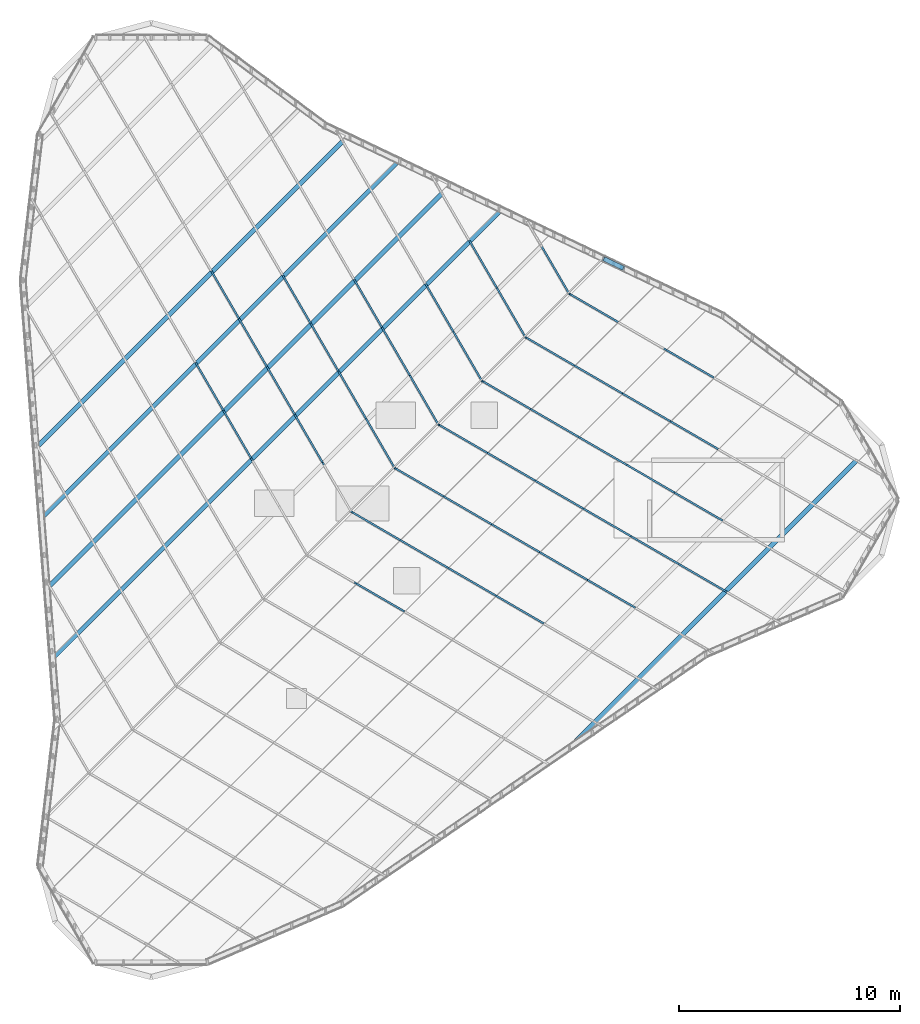
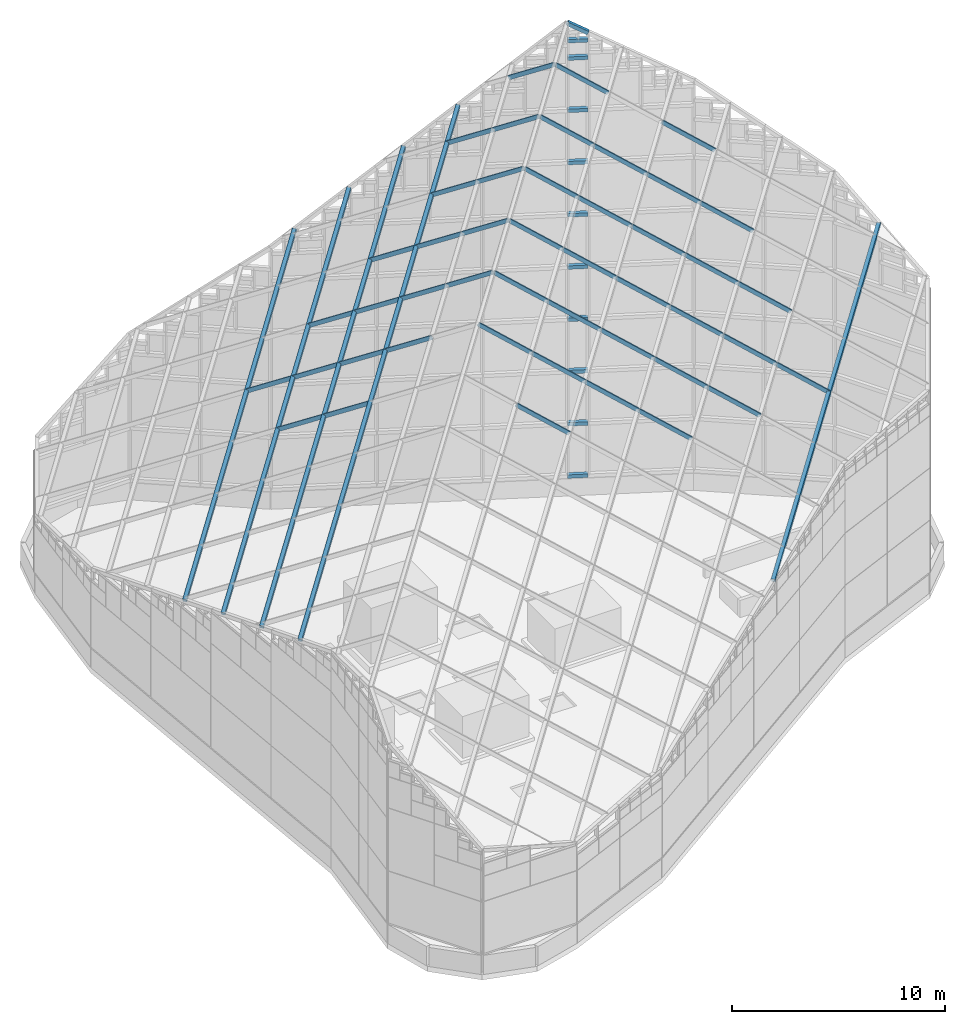
# One storey, part 5 of 29: 61 members, 1 element without a shape of its own.
"""IFC4 building model written with IfcOpenShell, lengths in metres."""

from ifc_helpers import new_model, si_unit, direction, frame, origin, origin_2d, place, context, subcontext, project, spatial, rectangle, extrude, material, material_profile, profile_set, type_object, element, aggregate, save


model = new_model("IFC4")

# Units and contexts
model_context = context("Model", 3, precision=1e-05, world=origin(), true_north=direction((0.0, 1.0)))
body_context = subcontext(model_context, "Body", "Model", "MODEL_VIEW")
ifc_project = project(units=[si_unit("LENGTHUNIT", "METRE"), si_unit("AREAUNIT", "SQUARE_METRE"), si_unit("VOLUMEUNIT", "CUBIC_METRE"), si_unit("PLANEANGLEUNIT", "RADIAN"), si_unit("MASSUNIT", "GRAM", prefix="KILO")], contexts=[model_context])

# Site, building, storey
site_placement = place(None, origin())
site = spatial("IfcSite", under=ifc_project, at=site_placement, CompositionType="ELEMENT")
building_placement = place(site_placement, origin())
building = spatial("IfcBuilding", under=site, at=building_placement, Name="Tanit Gate Tower", CompositionType="ELEMENT")
storey_placement = place(building_placement, frame((0.0, 0.0, 445.300048828125)))
storey = spatial("IfcBuildingStorey", under=building, at=storey_placement, Name="ROOF", CompositionType="ELEMENT", Elevation=445.300048828125)

# Curtain wall, members
ifc_material_1 = material(Name="Aluminium bronze anodised and glass", Category="aluminium")
curtain_wall_type = type_object("IfcCurtainWallType", Name="Curtain wall crown roof", PredefinedType="NOTDEFINED", material=ifc_material_1)
curtain_wall_placement = place(storey_placement, origin())
curtain_wall = element("IfcCurtainWall", 1, at=curtain_wall_placement, inside=storey, type_object=curtain_wall_type, Name="Crown lantern", PredefinedType="NOTDEFINED")
ifc_material_2 = material(Name="Aluminium bronze anodised", Category="aluminium")
ifc_material_profile_1 = material_profile(ifc_material_2, rectangle(XDim=0.080078125, YDim=0.219970703125, at=origin_2d()), Name="80x220 bronze rafter")
ifc_profile_set_1 = profile_set([ifc_material_profile_1], Name="Aluminium bronze anodised")
member_type_1 = type_object("IfcMemberType", Name="Mullion 80x220 crown roof", PredefinedType="MULLION", material=ifc_profile_set_1)
member_1_placement = place(storey_placement, frame((-5.0205078125, 1.84130859375, 16.477294921875), z_axis=(-0.420098879156, 0.723494582662, -0.547788755444), x_axis=(-0.864786221347, -0.502140210865, 0.0)))
member_1 = element("IfcMember", 2, at=member_1_placement, type_object=member_type_1, Name="Lantern rafter E7", PredefinedType="MULLION", context=body_context, shape_type="SweptSolid", body=[
    extrude(rectangle(XDim=0.080078125, YDim=0.219970703125, at=origin_2d()), origin(), (0.0, 0.0, 1.0), 3.0),
])
member_2_placement = place(storey_placement, frame((-6.28076171875, 4.01171875, 14.833984375), z_axis=(-0.420098879156, 0.723494582662, -0.547788755444), x_axis=(-0.864786221347, -0.502140210865, 0.0)))
member_2 = element("IfcMember", 3, at=member_2_placement, type_object=member_type_1, Name="Lantern rafter E7", PredefinedType="MULLION", context=body_context, shape_type="SweptSolid", body=[
    extrude(rectangle(XDim=0.080078125, YDim=0.219970703125, at=origin_2d()), origin(), (0.0, 0.0, 1.0), 3.0),
])
member_3_placement = place(storey_placement, frame((-1.784912109375, 1.64599609375, 19.214599609375), z_axis=(-0.420098879156, 0.723494582662, -0.547788755444), x_axis=(-0.864786221347, -0.502140210865, 0.0)))
member_3 = element("IfcMember", 4, at=member_3_placement, type_object=member_type_1, Name="Lantern rafter E8", PredefinedType="MULLION", context=body_context, shape_type="SweptSolid", body=[
    extrude(rectangle(XDim=0.080078125, YDim=0.219970703125, at=origin_2d()), origin(), (0.0, 0.0, 1.0), 3.0),
])
member_4_placement = place(storey_placement, frame((-3.045166015625, 3.81640625, 17.5712890625), z_axis=(-0.420074144471, 0.723533362745, -0.547756502602), x_axis=(-0.864810745962, -0.502097972181, 0.0)))
member_4 = element("IfcMember", 5, at=member_4_placement, type_object=member_type_1, Name="Lantern rafter E8", PredefinedType="MULLION", context=body_context, shape_type="SweptSolid", body=[
    extrude(rectangle(XDim=0.080078125, YDim=0.219970703125, at=origin_2d()), origin(), (0.0, 0.0, 1.0), 3.0),
])
member_5_placement = place(storey_placement, frame((-4.305419921875, 5.987060546875, 15.927978515625), z_axis=(-0.420165895971, 0.723469846055, -0.547770026299), x_axis=(-0.864743978712, -0.502212954116, 0.0)))
member_5 = element("IfcMember", 6, at=member_5_placement, type_object=member_type_1, Name="Lantern rafter E8", PredefinedType="MULLION", context=body_context, shape_type="SweptSolid", body=[
    extrude(rectangle(XDim=0.080078125, YDim=0.219970703125, at=origin_2d()), origin(), (0.0, 0.0, 1.0), 3.0),
])
member_6_placement = place(storey_placement, frame((-5.56591796875, 8.157470703125, 14.28466796875), z_axis=(-0.420080150726, 0.723462328546, -0.54784571381), x_axis=(-0.864786221347, -0.502140210865, 0.0)))
member_6 = element("IfcMember", 7, at=member_6_placement, type_object=member_type_1, Name="Lantern rafter E8", PredefinedType="MULLION", context=body_context, shape_type="SweptSolid", body=[
    extrude(rectangle(XDim=0.080078125, YDim=0.219970703125, at=origin_2d()), origin(), (0.0, 0.0, 1.0), 3.0),
])
member_7_placement = place(storey_placement, frame((1.45068359375, 1.45068359375, 21.951904296875), z_axis=(-0.420074144471, 0.723533362745, -0.547756502602), x_axis=(-0.864810745962, -0.502097972181, 0.0)))
member_7 = element("IfcMember", 8, at=member_7_placement, type_object=member_type_1, Name="Lantern rafter E9", PredefinedType="MULLION", context=body_context, shape_type="SweptSolid", body=[
    extrude(rectangle(XDim=0.080078125, YDim=0.219970703125, at=origin_2d()), origin(), (0.0, 0.0, 1.0), 3.0),
])
member_8_placement = place(storey_placement, frame((0.1904296875, 3.621337890625, 20.30859375), z_axis=(-0.420098879156, 0.723494582662, -0.547788755444), x_axis=(-0.864786221347, -0.502140210865, 0.0)))
member_8 = element("IfcMember", 9, at=member_8_placement, type_object=member_type_1, Name="Lantern rafter E9", PredefinedType="MULLION", context=body_context, shape_type="SweptSolid", body=[
    extrude(rectangle(XDim=0.080078125, YDim=0.219970703125, at=origin_2d()), origin(), (0.0, 0.0, 1.0), 3.0),
])
member_9_placement = place(storey_placement, frame((-1.06982421875, 5.791748046875, 18.665283203125), z_axis=(-0.420165895971, 0.723469846055, -0.547770026299), x_axis=(-0.864743978712, -0.502212954116, 0.0)))
member_9 = element("IfcMember", 10, at=member_9_placement, type_object=member_type_1, Name="Lantern rafter E9", PredefinedType="MULLION", context=body_context, shape_type="SweptSolid", body=[
    extrude(rectangle(XDim=0.080078125, YDim=0.219970703125, at=origin_2d()), origin(), (0.0, 0.0, 1.0), 3.0),
])
member_10_placement = place(storey_placement, frame((-2.330322265625, 7.962158203125, 17.02197265625), z_axis=(-0.420055419348, 0.723501110698, -0.54781346049), x_axis=(-0.864810745962, -0.502097972181, 0.0)))
member_10 = element("IfcMember", 11, at=member_10_placement, type_object=member_type_1, Name="Lantern rafter E9", PredefinedType="MULLION", context=body_context, shape_type="SweptSolid", body=[
    extrude(rectangle(XDim=0.080078125, YDim=0.219970703125, at=origin_2d()), origin(), (0.0, 0.0, 1.0), 3.000244140625),
])
member_11_placement = place(storey_placement, frame((3.426025390625, 3.426025390625, 23.0458984375), z_axis=(-0.420098879156, 0.723494582662, -0.547788755444), x_axis=(-0.864786221347, -0.502140210865, 0.0)))
member_11 = element("IfcMember", 12, at=member_11_placement, type_object=member_type_1, Name="Lantern rafter E10", PredefinedType="MULLION", context=body_context, shape_type="SweptSolid", body=[
    extrude(rectangle(XDim=0.080078125, YDim=0.219970703125, at=origin_2d()), origin(), (0.0, 0.0, 1.0), 3.0),
])
member_12_placement = place(storey_placement, frame((2.165771484375, 5.596435546875, 21.402587890625), z_axis=(-0.420141159031, 0.723508627725, -0.547737776765), x_axis=(-0.864768509235, -0.502170713438, 0.0)))
member_12 = element("IfcMember", 13, at=member_12_placement, type_object=member_type_1, Name="Lantern rafter E10", PredefinedType="MULLION", context=body_context, shape_type="SweptSolid", body=[
    extrude(rectangle(XDim=0.080078125, YDim=0.219970703125, at=origin_2d()), origin(), (0.0, 0.0, 1.0), 3.000244140625),
])
member_13_placement = place(storey_placement, frame((0.9052734375, 7.76708984375, 19.75927734375), z_axis=(-0.420098879156, 0.723494582662, -0.547788755444), x_axis=(-0.864786221347, -0.502140210865, 0.0)))
member_13 = element("IfcMember", 14, at=member_13_placement, type_object=member_type_1, Name="Lantern rafter E10", PredefinedType="MULLION", context=body_context, shape_type="SweptSolid", body=[
    extrude(rectangle(XDim=0.080078125, YDim=0.219970703125, at=origin_2d()), origin(), (0.0, 0.0, 1.0), 3.0),
])
member_14_placement = place(storey_placement, frame((5.4013671875, 5.4013671875, 24.139892578125), z_axis=(-0.420165895971, 0.723469846055, -0.547770026299), x_axis=(-0.864743978712, -0.502212954116, 0.0)))
member_14 = element("IfcMember", 15, at=member_14_placement, type_object=member_type_1, Name="Lantern rafter E11", PredefinedType="MULLION", context=body_context, shape_type="SweptSolid", body=[
    extrude(rectangle(XDim=0.080078125, YDim=0.219970703125, at=origin_2d()), origin(), (0.0, 0.0, 1.0), 3.0),
])
member_15_placement = place(storey_placement, frame((4.140869140625, 7.57177734375, 22.49658203125), z_axis=(-0.420098879156, 0.723494582662, -0.547788755444), x_axis=(-0.864786221347, -0.502140210865, 0.0)))
member_15 = element("IfcMember", 16, at=member_15_placement, type_object=member_type_1, Name="Lantern rafter E11", PredefinedType="MULLION", context=body_context, shape_type="SweptSolid", body=[
    extrude(rectangle(XDim=0.080078125, YDim=0.219970703125, at=origin_2d()), origin(), (0.0, 0.0, 1.0), 3.0),
])
member_16_placement = place(storey_placement, frame((7.37646484375, 7.37646484375, 25.23388671875), z_axis=(-0.420074144471, 0.723533362745, -0.547756502602), x_axis=(-0.864810745962, -0.502097972181, 0.0)))
member_16 = element("IfcMember", 17, at=member_16_placement, type_object=member_type_1, Name="Lantern rafter E12", PredefinedType="MULLION", context=body_context, shape_type="SweptSolid", body=[
    extrude(rectangle(XDim=0.080078125, YDim=0.219970703125, at=origin_2d()), origin(), (0.0, 0.0, 1.0), 3.0),
])
member_17_placement = place(storey_placement, frame((6.1162109375, 9.547119140625, 23.590576171875), z_axis=(-0.420165895971, 0.723469846055, -0.547770026299), x_axis=(-0.864743978712, -0.502212954116, 0.0)))
member_17 = element("IfcMember", 18, at=member_17_placement, type_object=member_type_1, Name="Lantern rafter E12", PredefinedType="MULLION", context=body_context, shape_type="SweptSolid", body=[
    extrude(rectangle(XDim=0.080078125, YDim=0.219970703125, at=origin_2d()), origin(), (0.0, 0.0, 1.0), 3.0),
])
member_18_placement = place(storey_placement, frame((9.351806640625, 9.351806640625, 26.327880859375), z_axis=(-0.420165895971, 0.723469846055, -0.547770026299), x_axis=(-0.864743978712, -0.502212954116, 0.0)))
member_18 = element("IfcMember", 19, at=member_18_placement, type_object=member_type_1, Name="Lantern rafter E13", PredefinedType="MULLION", context=body_context, shape_type="SweptSolid", body=[
    extrude(rectangle(XDim=0.080078125, YDim=0.219970703125, at=origin_2d()), origin(), (0.0, 0.0, 1.0), 3.0),
])
member_19_placement = place(storey_placement, frame((-0.329345703125, -3.760009765625, 18.12060546875), z_axis=(0.723508627725, -0.420141159031, -0.547737776765), x_axis=(0.502170713438, 0.864768509235, 0.0)))
member_19 = element("IfcMember", 20, at=member_19_placement, type_object=member_type_1, Name="Lantern rafter W9", PredefinedType="MULLION", context=body_context, shape_type="SweptSolid", body=[
    extrude(rectangle(XDim=0.080078125, YDim=0.219970703125, at=origin_2d()), origin(), (0.0, 0.0, 1.0), 3.000244140625),
])
member_20_placement = place(storey_placement, frame((-0.5244140625, -0.5244140625, 20.85791015625), z_axis=(0.723469846055, -0.420165895971, -0.547770026299), x_axis=(0.502212954116, 0.864743978712, 0.0)))
member_20 = element("IfcMember", 21, at=member_20_placement, type_object=member_type_1, Name="Lantern rafter W10", PredefinedType="MULLION", context=body_context, shape_type="SweptSolid", body=[
    extrude(rectangle(XDim=0.080078125, YDim=0.219970703125, at=origin_2d()), origin(), (0.0, 0.0, 1.0), 3.0),
])
member_21_placement = place(storey_placement, frame((1.64599609375, -1.784912109375, 19.214599609375), z_axis=(0.723494582662, -0.420098879156, -0.547788755444), x_axis=(0.502140210865, 0.864786221347, 0.0)))
member_21 = element("IfcMember", 22, at=member_21_placement, type_object=member_type_1, Name="Lantern rafter W10", PredefinedType="MULLION", context=body_context, shape_type="SweptSolid", body=[
    extrude(rectangle(XDim=0.080078125, YDim=0.219970703125, at=origin_2d()), origin(), (0.0, 0.0, 1.0), 3.0),
])
member_22_placement = place(storey_placement, frame((3.81640625, -3.045166015625, 17.5712890625), z_axis=(0.723533362745, -0.420074144471, -0.547756502602), x_axis=(0.502097972181, 0.864810745962, 0.0)))
member_22 = element("IfcMember", 23, at=member_22_placement, type_object=member_type_1, Name="Lantern rafter W10", PredefinedType="MULLION", context=body_context, shape_type="SweptSolid", body=[
    extrude(rectangle(XDim=0.080078125, YDim=0.219970703125, at=origin_2d()), origin(), (0.0, 0.0, 1.0), 3.0),
])
member_23_placement = place(storey_placement, frame((5.987060546875, -4.305419921875, 15.927978515625), z_axis=(0.723469846055, -0.420165895971, -0.547770026299), x_axis=(0.502212954116, 0.864743978712, 0.0)))
member_23 = element("IfcMember", 24, at=member_23_placement, type_object=member_type_1, Name="Lantern rafter W10", PredefinedType="MULLION", context=body_context, shape_type="SweptSolid", body=[
    extrude(rectangle(XDim=0.080078125, YDim=0.219970703125, at=origin_2d()), origin(), (0.0, 0.0, 1.0), 3.0),
])
member_24_placement = place(storey_placement, frame((1.45068359375, 1.45068359375, 21.951904296875), z_axis=(0.723533362745, -0.420074144471, -0.547756502602), x_axis=(0.502097972181, 0.864810745962, 0.0)))
member_24 = element("IfcMember", 25, at=member_24_placement, type_object=member_type_1, Name="Lantern rafter W11", PredefinedType="MULLION", context=body_context, shape_type="SweptSolid", body=[
    extrude(rectangle(XDim=0.080078125, YDim=0.219970703125, at=origin_2d()), origin(), (0.0, 0.0, 1.0), 3.0),
])
member_25_placement = place(storey_placement, frame((3.621337890625, 0.1904296875, 20.30859375), z_axis=(0.723494582662, -0.420098879156, -0.547788755444), x_axis=(0.502140210865, 0.864786221347, 0.0)))
member_25 = element("IfcMember", 26, at=member_25_placement, type_object=member_type_1, Name="Lantern rafter W11", PredefinedType="MULLION", context=body_context, shape_type="SweptSolid", body=[
    extrude(rectangle(XDim=0.080078125, YDim=0.219970703125, at=origin_2d()), origin(), (0.0, 0.0, 1.0), 3.0),
])
member_26_placement = place(storey_placement, frame((5.791748046875, -1.06982421875, 18.665283203125), z_axis=(0.723469846055, -0.420165895971, -0.547770026299), x_axis=(0.502212954116, 0.864743978712, 0.0)))
member_26 = element("IfcMember", 27, at=member_26_placement, type_object=member_type_1, Name="Lantern rafter W11", PredefinedType="MULLION", context=body_context, shape_type="SweptSolid", body=[
    extrude(rectangle(XDim=0.080078125, YDim=0.219970703125, at=origin_2d()), origin(), (0.0, 0.0, 1.0), 3.0),
])
member_27_placement = place(storey_placement, frame((7.962158203125, -2.330322265625, 17.02197265625), z_axis=(0.723501110698, -0.420055419348, -0.54781346049), x_axis=(0.502097972181, 0.864810745962, 0.0)))
member_27 = element("IfcMember", 28, at=member_27_placement, type_object=member_type_1, Name="Lantern rafter W11", PredefinedType="MULLION", context=body_context, shape_type="SweptSolid", body=[
    extrude(rectangle(XDim=0.080078125, YDim=0.219970703125, at=origin_2d()), origin(), (0.0, 0.0, 1.0), 3.000244140625),
])
member_28_placement = place(storey_placement, frame((10.1328125, -3.590576171875, 15.37841796875), z_axis=(0.723494582662, -0.420098879156, -0.547788755444), x_axis=(0.502140210865, 0.864786221347, 0.0)))
member_28 = element("IfcMember", 29, at=member_28_placement, type_object=member_type_1, Name="Lantern rafter W11", PredefinedType="MULLION", context=body_context, shape_type="SweptSolid", body=[
    extrude(rectangle(XDim=0.080078125, YDim=0.219970703125, at=origin_2d()), origin(), (0.0, 0.0, 1.0), 3.0),
])
member_29_placement = place(storey_placement, frame((3.426025390625, 3.426025390625, 23.0458984375), z_axis=(0.723494582662, -0.420098879156, -0.547788755444), x_axis=(0.502140210865, 0.864786221347, 0.0)))
member_29 = element("IfcMember", 30, at=member_29_placement, type_object=member_type_1, Name="Lantern rafter W12", PredefinedType="MULLION", context=body_context, shape_type="SweptSolid", body=[
    extrude(rectangle(XDim=0.080078125, YDim=0.219970703125, at=origin_2d()), origin(), (0.0, 0.0, 1.0), 3.0),
])
member_30_placement = place(storey_placement, frame((5.596435546875, 2.165771484375, 21.402587890625), z_axis=(0.723508627725, -0.420141159031, -0.547737776765), x_axis=(0.502170713438, 0.864768509235, 0.0)))
member_30 = element("IfcMember", 31, at=member_30_placement, type_object=member_type_1, Name="Lantern rafter W12", PredefinedType="MULLION", context=body_context, shape_type="SweptSolid", body=[
    extrude(rectangle(XDim=0.080078125, YDim=0.219970703125, at=origin_2d()), origin(), (0.0, 0.0, 1.0), 3.000244140625),
])
member_31_placement = place(storey_placement, frame((7.76708984375, 0.9052734375, 19.75927734375), z_axis=(0.723494582662, -0.420098879156, -0.547788755444), x_axis=(0.502140210865, 0.864786221347, 0.0)))
member_31 = element("IfcMember", 32, at=member_31_placement, type_object=member_type_1, Name="Lantern rafter W12", PredefinedType="MULLION", context=body_context, shape_type="SweptSolid", body=[
    extrude(rectangle(XDim=0.080078125, YDim=0.219970703125, at=origin_2d()), origin(), (0.0, 0.0, 1.0), 3.0),
])
member_32_placement = place(storey_placement, frame((9.9375, -0.35498046875, 18.115966796875), z_axis=(0.723462328546, -0.420080150726, -0.54784571381), x_axis=(0.502140210865, 0.864786221347, 0.0)))
member_32 = element("IfcMember", 33, at=member_32_placement, type_object=member_type_1, Name="Lantern rafter W12", PredefinedType="MULLION", context=body_context, shape_type="SweptSolid", body=[
    extrude(rectangle(XDim=0.080078125, YDim=0.219970703125, at=origin_2d()), origin(), (0.0, 0.0, 1.0), 3.0),
])
member_33_placement = place(storey_placement, frame((12.10791015625, -1.615234375, 16.472412109375), z_axis=(0.723508627725, -0.420141159031, -0.547737776765), x_axis=(0.502170713438, 0.864768509235, 0.0)))
member_33 = element("IfcMember", 34, at=member_33_placement, type_object=member_type_1, Name="Lantern rafter W12", PredefinedType="MULLION", context=body_context, shape_type="SweptSolid", body=[
    extrude(rectangle(XDim=0.080078125, YDim=0.219970703125, at=origin_2d()), origin(), (0.0, 0.0, 1.0), 3.000244140625),
])
member_34_placement = place(storey_placement, frame((14.278564453125, -2.875732421875, 14.8291015625), z_axis=(0.723494582662, -0.420098879156, -0.547788755444), x_axis=(0.502140210865, 0.864786221347, 0.0)))
member_34 = element("IfcMember", 35, at=member_34_placement, type_object=member_type_1, Name="Lantern rafter W12", PredefinedType="MULLION", context=body_context, shape_type="SweptSolid", body=[
    extrude(rectangle(XDim=0.080078125, YDim=0.219970703125, at=origin_2d()), origin(), (0.0, 0.0, 1.0), 3.0),
])
member_35_placement = place(storey_placement, frame((5.4013671875, 5.4013671875, 24.139892578125), z_axis=(0.723469846055, -0.420165895971, -0.547770026299), x_axis=(0.502212954116, 0.864743978712, 0.0)))
member_35 = element("IfcMember", 36, at=member_35_placement, type_object=member_type_1, Name="Lantern rafter W13", PredefinedType="MULLION", context=body_context, shape_type="SweptSolid", body=[
    extrude(rectangle(XDim=0.080078125, YDim=0.219970703125, at=origin_2d()), origin(), (0.0, 0.0, 1.0), 3.0),
])
member_36_placement = place(storey_placement, frame((7.57177734375, 4.140869140625, 22.49658203125), z_axis=(0.723494582662, -0.420098879156, -0.547788755444), x_axis=(0.502140210865, 0.864786221347, 0.0)))
member_36 = element("IfcMember", 37, at=member_36_placement, type_object=member_type_1, Name="Lantern rafter W13", PredefinedType="MULLION", context=body_context, shape_type="SweptSolid", body=[
    extrude(rectangle(XDim=0.080078125, YDim=0.219970703125, at=origin_2d()), origin(), (0.0, 0.0, 1.0), 3.0),
])
member_37_placement = place(storey_placement, frame((9.7421875, 2.880615234375, 20.853271484375), z_axis=(0.723501110698, -0.420055419348, -0.54781346049), x_axis=(0.502097972181, 0.864810745962, 0.0)))
member_37 = element("IfcMember", 38, at=member_37_placement, type_object=member_type_1, Name="Lantern rafter W13", PredefinedType="MULLION", context=body_context, shape_type="SweptSolid", body=[
    extrude(rectangle(XDim=0.080078125, YDim=0.219970703125, at=origin_2d()), origin(), (0.0, 0.0, 1.0), 3.000244140625),
])
member_38_placement = place(storey_placement, frame((11.912841796875, 1.620361328125, 19.209716796875), z_axis=(0.723469846055, -0.420165895971, -0.547770026299), x_axis=(0.502212954116, 0.864743978712, 0.0)))
member_38 = element("IfcMember", 39, at=member_38_placement, type_object=member_type_1, Name="Lantern rafter W13", PredefinedType="MULLION", context=body_context, shape_type="SweptSolid", body=[
    extrude(rectangle(XDim=0.080078125, YDim=0.219970703125, at=origin_2d()), origin(), (0.0, 0.0, 1.0), 3.0),
])
member_39_placement = place(storey_placement, frame((14.083251953125, 0.35986328125, 17.56640625), z_axis=(0.723494582662, -0.420098879156, -0.547788755444), x_axis=(0.502140210865, 0.864786221347, 0.0)))
member_39 = element("IfcMember", 40, at=member_39_placement, type_object=member_type_1, Name="Lantern rafter W13", PredefinedType="MULLION", context=body_context, shape_type="SweptSolid", body=[
    extrude(rectangle(XDim=0.080078125, YDim=0.219970703125, at=origin_2d()), origin(), (0.0, 0.0, 1.0), 3.0),
])
member_40_placement = place(storey_placement, frame((7.37646484375, 7.37646484375, 25.23388671875), z_axis=(0.723533362745, -0.420074144471, -0.547756502602), x_axis=(0.502097972181, 0.864810745962, 0.0)))
member_40 = element("IfcMember", 41, at=member_40_placement, type_object=member_type_1, Name="Lantern rafter W14", PredefinedType="MULLION", context=body_context, shape_type="SweptSolid", body=[
    extrude(rectangle(XDim=0.080078125, YDim=0.219970703125, at=origin_2d()), origin(), (0.0, 0.0, 1.0), 3.0),
])
member_41_placement = place(storey_placement, frame((9.547119140625, 6.1162109375, 23.590576171875), z_axis=(0.723469846055, -0.420165895971, -0.547770026299), x_axis=(0.502212954116, 0.864743978712, 0.0)))
member_41 = element("IfcMember", 42, at=member_41_placement, type_object=member_type_1, Name="Lantern rafter W14", PredefinedType="MULLION", context=body_context, shape_type="SweptSolid", body=[
    extrude(rectangle(XDim=0.080078125, YDim=0.219970703125, at=origin_2d()), origin(), (0.0, 0.0, 1.0), 3.0),
])
member_42_placement = place(storey_placement, frame((11.717529296875, 4.855712890625, 21.947265625), z_axis=(0.723462328546, -0.420080150726, -0.54784571381), x_axis=(0.502140210865, 0.864786221347, 0.0)))
member_42 = element("IfcMember", 43, at=member_42_placement, type_object=member_type_1, Name="Lantern rafter W14", PredefinedType="MULLION", context=body_context, shape_type="SweptSolid", body=[
    extrude(rectangle(XDim=0.080078125, YDim=0.219970703125, at=origin_2d()), origin(), (0.0, 0.0, 1.0), 3.0),
])
member_43_placement = place(storey_placement, frame((13.887939453125, 3.595458984375, 20.3037109375), z_axis=(0.723494582662, -0.420098879156, -0.547788755444), x_axis=(0.502140210865, 0.864786221347, 0.0)))
member_43 = element("IfcMember", 44, at=member_43_placement, type_object=member_type_1, Name="Lantern rafter W14", PredefinedType="MULLION", context=body_context, shape_type="SweptSolid", body=[
    extrude(rectangle(XDim=0.080078125, YDim=0.219970703125, at=origin_2d()), origin(), (0.0, 0.0, 1.0), 3.0),
])
member_44_placement = place(storey_placement, frame((9.351806640625, 9.351806640625, 26.327880859375), z_axis=(0.723469846055, -0.420165895971, -0.547770026299), x_axis=(0.502212954116, 0.864743978712, 0.0)))
member_44 = element("IfcMember", 45, at=member_44_placement, type_object=member_type_1, Name="Lantern rafter W15", PredefinedType="MULLION", context=body_context, shape_type="SweptSolid", body=[
    extrude(rectangle(XDim=0.080078125, YDim=0.219970703125, at=origin_2d()), origin(), (0.0, 0.0, 1.0), 3.0),
])
member_45_placement = place(storey_placement, frame((13.692626953125, 6.8310546875, 23.041015625), z_axis=(0.723533362745, -0.420074144471, -0.547756502602), x_axis=(0.502097972181, 0.864810745962, 0.0)))
member_45 = element("IfcMember", 46, at=member_45_placement, type_object=member_type_1, Name="Lantern rafter W15", PredefinedType="MULLION", context=body_context, shape_type="SweptSolid", body=[
    extrude(rectangle(XDim=0.080078125, YDim=0.219970703125, at=origin_2d()), origin(), (0.0, 0.0, 1.0), 3.0),
])
ifc_material_3 = material(Name="Aluminium bronze anodised", Category="aluminium")
ifc_material_profile_2 = material_profile(ifc_material_3, rectangle(XDim=0.199951171875, YDim=0.199951171875, at=origin_2d()), Name="200x200 bronze transom")
ifc_profile_set_2 = profile_set([ifc_material_profile_2], Name="Aluminium bronze anodised")
member_type_2 = type_object("IfcMemberType", Name="Transom 200x200 crown roof", PredefinedType="USERDEFINED", material=ifc_profile_set_2)
member_46_placement = place(storey_placement, frame((11.80859375, 10.505126953125, 1.199951171875), z_axis=(-0.902324323491, 0.431057786423, 0.0), x_axis=(-0.431057786423, -0.902324323491, 0.0)))
member_46 = element("IfcMember", 47, at=member_46_placement, type_object=member_type_2, Name="Lantern eave beam 4", ObjectType="TRANSOM", PredefinedType="USERDEFINED", context=body_context, shape_type="SweptSolid", body=[
    extrude(rectangle(XDim=0.199951171875, YDim=0.199951171875, at=origin_2d()), origin(), (0.0, 0.0, 1.0), 0.9775390625),
])
member_47_placement = place(storey_placement, frame((11.80859375, 10.505126953125, 26.607421875), z_axis=(-0.771642689706, 0.368628641692, 0.518343982263), x_axis=(-0.431057786423, -0.902324323491, 0.0)))
member_47 = element("IfcMember", 48, at=member_47_placement, type_object=member_type_2, Name="Lantern edge beam 4", ObjectType="TRANSOM", PredefinedType="USERDEFINED", context=body_context, shape_type="SweptSolid", body=[
    extrude(rectangle(XDim=0.199951171875, YDim=0.199951171875, at=origin_2d()), origin(), (0.0, 0.0, 1.0), 1.14306640625),
])
member_48_placement = place(storey_placement, frame((11.80859375, 10.505126953125, 4.199951171875), z_axis=(-0.902324323491, 0.431057786423, 0.0), x_axis=(-0.431057786423, -0.902324323491, 0.0)))
member_48 = element("IfcMember", 49, at=member_48_placement, type_object=member_type_2, Name="Lantern clerestory transom 4.1", ObjectType="TRANSOM", PredefinedType="USERDEFINED", context=body_context, shape_type="SweptSolid", body=[
    extrude(rectangle(XDim=0.199951171875, YDim=0.199951171875, at=origin_2d()), origin(), (0.0, 0.0, 1.0), 0.9775390625),
])
member_49_placement = place(storey_placement, frame((11.80859375, 10.505126953125, 7.199951171875), z_axis=(-0.902324323491, 0.431057786423, 0.0), x_axis=(-0.431057786423, -0.902324323491, 0.0)))
member_49 = element("IfcMember", 50, at=member_49_placement, type_object=member_type_2, Name="Lantern clerestory transom 4.2", ObjectType="TRANSOM", PredefinedType="USERDEFINED", context=body_context, shape_type="SweptSolid", body=[
    extrude(rectangle(XDim=0.199951171875, YDim=0.199951171875, at=origin_2d()), origin(), (0.0, 0.0, 1.0), 0.9775390625),
])
member_50_placement = place(storey_placement, frame((11.80859375, 10.505126953125, 10.199951171875), z_axis=(-0.902324323491, 0.431057786423, 0.0), x_axis=(-0.431057786423, -0.902324323491, 0.0)))
member_50 = element("IfcMember", 51, at=member_50_placement, type_object=member_type_2, Name="Lantern clerestory transom 4.3", ObjectType="TRANSOM", PredefinedType="USERDEFINED", context=body_context, shape_type="SweptSolid", body=[
    extrude(rectangle(XDim=0.199951171875, YDim=0.199951171875, at=origin_2d()), origin(), (0.0, 0.0, 1.0), 0.9775390625),
])
member_51_placement = place(storey_placement, frame((11.80859375, 10.505126953125, 13.199951171875), z_axis=(-0.902324323491, 0.431057786423, 0.0), x_axis=(-0.431057786423, -0.902324323491, 0.0)))
member_51 = element("IfcMember", 52, at=member_51_placement, type_object=member_type_2, Name="Lantern clerestory transom 4.4", ObjectType="TRANSOM", PredefinedType="USERDEFINED", context=body_context, shape_type="SweptSolid", body=[
    extrude(rectangle(XDim=0.199951171875, YDim=0.199951171875, at=origin_2d()), origin(), (0.0, 0.0, 1.0), 0.9775390625),
])
member_52_placement = place(storey_placement, frame((11.80859375, 10.505126953125, 16.199951171875), z_axis=(-0.902324323491, 0.431057786423, 0.0), x_axis=(-0.431057786423, -0.902324323491, 0.0)))
member_52 = element("IfcMember", 53, at=member_52_placement, type_object=member_type_2, Name="Lantern clerestory transom 4.5", ObjectType="TRANSOM", PredefinedType="USERDEFINED", context=body_context, shape_type="SweptSolid", body=[
    extrude(rectangle(XDim=0.199951171875, YDim=0.199951171875, at=origin_2d()), origin(), (0.0, 0.0, 1.0), 0.9775390625),
])
member_53_placement = place(storey_placement, frame((11.80859375, 10.505126953125, 19.199951171875), z_axis=(-0.902324323491, 0.431057786423, 0.0), x_axis=(-0.431057786423, -0.902324323491, 0.0)))
member_53 = element("IfcMember", 54, at=member_53_placement, type_object=member_type_2, Name="Lantern clerestory transom 4.6", ObjectType="TRANSOM", PredefinedType="USERDEFINED", context=body_context, shape_type="SweptSolid", body=[
    extrude(rectangle(XDim=0.199951171875, YDim=0.199951171875, at=origin_2d()), origin(), (0.0, 0.0, 1.0), 0.9775390625),
])
member_54_placement = place(storey_placement, frame((11.80859375, 10.505126953125, 22.199951171875), z_axis=(-0.902324323491, 0.431057786423, 0.0), x_axis=(-0.431057786423, -0.902324323491, 0.0)))
member_54 = element("IfcMember", 55, at=member_54_placement, type_object=member_type_2, Name="Lantern clerestory transom 4.7", ObjectType="TRANSOM", PredefinedType="USERDEFINED", context=body_context, shape_type="SweptSolid", body=[
    extrude(rectangle(XDim=0.199951171875, YDim=0.199951171875, at=origin_2d()), origin(), (0.0, 0.0, 1.0), 0.9775390625),
])
member_55_placement = place(storey_placement, frame((11.80859375, 10.505126953125, 25.199951171875), z_axis=(-0.902324323491, 0.431057786423, 0.0), x_axis=(-0.431057786423, -0.902324323491, 0.0)))
member_55 = element("IfcMember", 56, at=member_55_placement, type_object=member_type_2, Name="Lantern clerestory transom 4.8", ObjectType="TRANSOM", PredefinedType="USERDEFINED", context=body_context, shape_type="SweptSolid", body=[
    extrude(rectangle(XDim=0.199951171875, YDim=0.199951171875, at=origin_2d()), origin(), (0.0, 0.0, 1.0), 0.9775390625),
])
member_56_placement = place(storey_placement, frame((11.80859375, 10.505126953125, 26.199951171875), z_axis=(-0.902324323491, 0.431057786423, 0.0), x_axis=(-0.431057786423, -0.902324323491, 0.0)))
member_56 = element("IfcMember", 57, at=member_56_placement, type_object=member_type_2, Name="Lantern clerestory bar 4.9.1", ObjectType="TRANSOM", PredefinedType="USERDEFINED", context=body_context, shape_type="SweptSolid", body=[
    extrude(rectangle(XDim=0.199951171875, YDim=0.199951171875, at=origin_2d()), origin(), (0.0, 0.0, 1.0), 0.9775390625),
])
member_57_placement = place(storey_placement, frame((-14.05224609375, -7.190673828125, 11.474853515625), z_axis=(0.658415778877, 0.658415778877, 0.364660560318), x_axis=(-0.707106781187, 0.707106781187, 0.0)))
member_57 = element("IfcMember", 58, at=member_57_placement, type_object=member_type_2, Name="Lantern purlin E2", ObjectType="TRANSOM", PredefinedType="USERDEFINED", context=body_context, shape_type="SweptSolid", body=[
    extrude(rectangle(XDim=0.199951171875, YDim=0.199951171875, at=origin_2d()), origin(), (0.0, 0.0, 1.0), 30.885498046875),
])
member_58_placement = place(storey_placement, frame((-14.30078125, -4.00830078125, 10.39208984375), z_axis=(0.658415239407, 0.658415239407, 0.364662508401), x_axis=(-0.707106781187, 0.707106781187, 0.0)))
member_58 = element("IfcMember", 59, at=member_58_placement, type_object=member_type_2, Name="Lantern purlin E3", ObjectType="TRANSOM", PredefinedType="USERDEFINED", context=body_context, shape_type="SweptSolid", body=[
    extrude(rectangle(XDim=0.199951171875, YDim=0.199951171875, at=origin_2d()), origin(), (0.0, 0.0, 1.0), 27.736572265625),
])
member_59_placement = place(storey_placement, frame((-14.549072265625, -0.825927734375, 9.30908203125), z_axis=(0.65841456176, 0.65841456176, 0.364664955439), x_axis=(-0.707106781187, 0.707106781187, 0.0)))
member_59 = element("IfcMember", 60, at=member_59_placement, type_object=member_type_2, Name="Lantern purlin E4", ObjectType="TRANSOM", PredefinedType="USERDEFINED", context=body_context, shape_type="SweptSolid", body=[
    extrude(rectangle(XDim=0.199951171875, YDim=0.199951171875, at=origin_2d()), origin(), (0.0, 0.0, 1.0), 24.587890625),
])
member_60_placement = place(storey_placement, frame((-14.797607421875, 2.3564453125, 8.226318359375), z_axis=(0.658416419237, 0.658416419237, 0.364658247895), x_axis=(-0.707106781187, 0.707106781187, 0.0)))
member_60 = element("IfcMember", 61, at=member_60_placement, type_object=member_type_2, Name="Lantern purlin E5", ObjectType="TRANSOM", PredefinedType="USERDEFINED", context=body_context, shape_type="SweptSolid", body=[
    extrude(rectangle(XDim=0.199951171875, YDim=0.199951171875, at=origin_2d()), origin(), (0.0, 0.0, 1.0), 21.43896484375),
])
member_61_placement = place(storey_placement, frame((9.291259765625, -11.293701171875, 9.2216796875), z_axis=(0.658417105493, 0.658417105493, 0.364655769718), x_axis=(-0.707106781187, 0.707106781187, 0.0)))
member_61 = element("IfcMember", 62, at=member_61_placement, type_object=member_type_2, Name="Lantern purlin W6", ObjectType="TRANSOM", PredefinedType="USERDEFINED", context=body_context, shape_type="SweptSolid", body=[
    extrude(rectangle(XDim=0.199951171875, YDim=0.199951171875, at=origin_2d()), origin(), (0.0, 0.0, 1.0), 20.61767578125),
])
aggregate(curtain_wall, [member_46, member_47, member_48, member_49, member_50, member_51, member_52, member_53, member_54, member_55, member_56, member_57, member_58, member_59, member_60, member_1, member_2, member_3, member_4, member_5, member_6, member_7, member_8, member_9, member_10, member_11, member_12, member_13, member_14, member_15, member_16, member_17, member_18, member_61, member_19, member_20, member_21, member_22, member_23, member_24, member_25, member_26, member_27, member_28, member_29, member_30, member_31, member_32, member_33, member_34, member_35, member_36, member_37, member_38, member_39, member_40, member_41, member_42, member_43, member_44, member_45])

save(model, "model.ifc")
